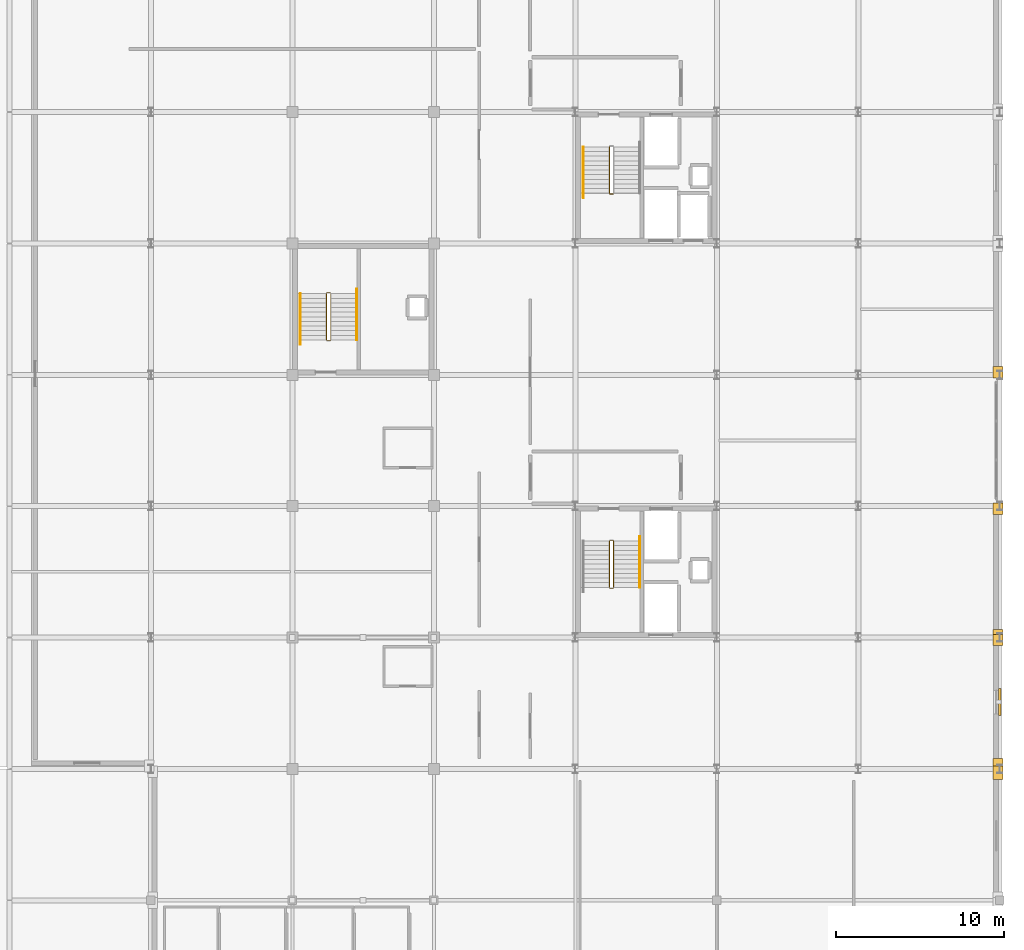
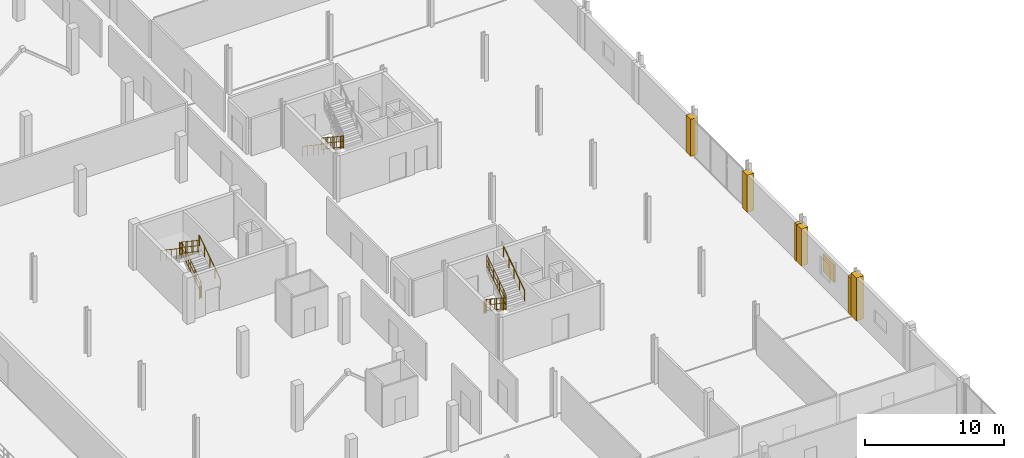
# One storey, part 39 of 41: 14 railings, 6 coverings, 1 shading device.
"""IFC4 building model written with IfcOpenShell, lengths in metres."""

from ifc_helpers import new_model, si_unit, direction, frame, origin, origin_2d, place, context, subcontext, project, spatial, polyline, rectangle, circle, outline, extrude, material, layer, layer_set, type_object, element, save


model = new_model("IFC4")

# Units and contexts
model_context = context("Model", 3, precision=1e-05, world=origin(), true_north=direction((0.0, 1.0)))
body_context = subcontext(model_context, "Body", "Model", "MODEL_VIEW")
ifc_project = project(units=[si_unit("LENGTHUNIT", "METRE"), si_unit("AREAUNIT", "SQUARE_METRE"), si_unit("VOLUMEUNIT", "CUBIC_METRE"), si_unit("PLANEANGLEUNIT", "RADIAN"), si_unit("MASSUNIT", "GRAM", prefix="KILO")], contexts=[model_context])

# Site, building, storey
site_placement = place(None, origin())
site = spatial("IfcSite", under=ifc_project, at=site_placement, CompositionType="ELEMENT")
building_placement = place(site_placement, origin())
building = spatial("IfcBuilding", under=site, at=building_placement, Name="Nabrawat Pavilion Hospital", CompositionType="ELEMENT")
storey_placement = place(building_placement, frame((0.0, 0.0, 18.89990234375)))
storey = spatial("IfcBuildingStorey", under=building, at=storey_placement, Name="L04", CompositionType="ELEMENT", Elevation=18.89990234375)

# Coverings
ifc_material_1 = material(Name="Precast concrete C40/50", Category="concrete")
ifc_layer_1 = layer(ifc_material_1, 0.360107421875, Name="Precast concrete C40/50")
ifc_layer_set_1 = layer_set([ifc_layer_1], Name="Precast concrete C40/50")
covering_type = type_object("IfcCoveringType", Name="Architectural Precast Column-Jamb Closure Reveal", PredefinedType="CLADDING", material=ifc_layer_set_1)
covering_1_placement = place(storey_placement, origin())
element("IfcCovering", 1, at=covering_1_placement, inside=storey, type_object=covering_type, Name="L04 Precast Facade Column-Jamb Weatherseal Closure 0562", PredefinedType="CLADDING", context=body_context, shape_type="SweptSolid", body=[
    extrude(outline(polyline([(193.3798828125, 38.3798828125), (193.3798828125, 39.179931640625), (192.800048828125, 39.179931640625), (192.800048828125, 38.3798828125), (193.3798828125, 38.3798828125)])), origin(), (0.0, 0.0, 1.0), 3.77001953125),
])
covering_2_placement = place(storey_placement, origin())
element("IfcCovering", 2, at=covering_2_placement, inside=storey, type_object=covering_type, Name="L04 Precast Facade Column-Jamb Weatherseal Closure 0563", PredefinedType="CLADDING", context=body_context, shape_type="SweptSolid", body=[
    extrude(outline(polyline([(193.3798828125, 38.820068359375), (193.3798828125, 39.6201171875), (192.800048828125, 39.6201171875), (192.800048828125, 38.820068359375), (193.3798828125, 38.820068359375)])), origin(), (0.0, 0.0, 1.0), 3.25),
])
covering_3_placement = place(storey_placement, origin())
element("IfcCovering", 3, at=covering_3_placement, inside=storey, type_object=covering_type, Name="L04 Precast Facade Column-Jamb Weatherseal Closure 0564", PredefinedType="CLADDING", context=body_context, shape_type="SweptSolid", body=[
    extrude(outline(polyline([(193.3798828125, 46.320068359375), (193.3798828125, 46.97998046875), (192.800048828125, 46.97998046875), (192.800048828125, 46.320068359375), (193.3798828125, 46.320068359375)])), origin(), (0.0, 0.0, 1.0), 3.25),
])
covering_4_placement = place(storey_placement, origin())
element("IfcCovering", 4, at=covering_4_placement, inside=storey, type_object=covering_type, Name="L04 Precast Facade Column-Jamb Weatherseal Closure 0565", PredefinedType="CLADDING", context=body_context, shape_type="SweptSolid", body=[
    extrude(outline(polyline([(193.3798828125, 46.6201171875), (193.3798828125, 47.280029296875), (192.800048828125, 47.280029296875), (192.800048828125, 46.6201171875), (193.3798828125, 46.6201171875)])), origin(), (0.0, 0.0, 1.0), 3.25),
])
covering_5_placement = place(storey_placement, origin())
element("IfcCovering", 5, at=covering_5_placement, inside=storey, type_object=covering_type, Name="L04 Precast Facade Column-Jamb Weatherseal Closure 0566", PredefinedType="CLADDING", context=body_context, shape_type="SweptSolid", body=[
    extrude(outline(polyline([(193.3798828125, 54.1201171875), (193.3798828125, 54.780029296875), (192.800048828125, 54.780029296875), (192.800048828125, 54.1201171875), (193.3798828125, 54.1201171875)])), origin(), (0.0, 0.0, 1.0), 3.25),
])
covering_6_placement = place(storey_placement, origin())
element("IfcCovering", 6, at=covering_6_placement, inside=storey, type_object=covering_type, Name="L04 Precast Facade Column-Jamb Weatherseal Closure 0567", PredefinedType="CLADDING", context=body_context, shape_type="SweptSolid", body=[
    extrude(outline(polyline([(193.3798828125, 62.219970703125), (193.3798828125, 62.8798828125), (192.800048828125, 62.8798828125), (192.800048828125, 62.219970703125), (193.3798828125, 62.219970703125)])), origin(), (0.0, 0.0, 1.0), 3.25),
])

# Shading device
ifc_layer_2 = layer(ifc_material_1, 2.39990234375, Name="Precast concrete C40/50")
ifc_layer_set_2 = layer_set([ifc_layer_2], Name="Precast concrete C40/50")
shading_device_type = type_object("IfcShadingDeviceType", Name="Perforated GFRC Mashrabiya Solar Fin", PredefinedType="JALOUSIE", material=ifc_layer_set_2)
shading_device_placement = place(storey_placement, frame((193.18994140625, 42.969970703125, 0.9501953125), z_axis=(0.0, 0.0, 1.0), x_axis=(0.0, 1.0, 0.0)))
element("IfcShadingDevice", 7, at=shading_device_placement, inside=storey, type_object=shading_device_type, Name="L04 Perforated GFRC Mashrabiya Screen 018", PredefinedType="JALOUSIE", context=body_context, shape_type="SweptSolid", body=[
    extrude(rectangle(XDim=1.60009765625, YDim=0.139892578125, at=origin_2d()), origin(), (0.0, 0.0, 1.0), 1.550048828125),
])

# Railings
ifc_material_2 = material(Name="Stainless Steel 316", Category="steel")
ifc_layer_3 = layer(ifc_material_2, 0.050048828125, Name="Stainless Steel 316")
ifc_layer_set_3 = layer_set([ifc_layer_3], Name="Stainless Steel 316")
railing_type_1 = type_object("IfcRailingType", Name="Stair Open-Well Safety Guardrail 1100", PredefinedType="GUARDRAIL", material=ifc_layer_set_3)
railing_1_placement = place(storey_placement, frame((170.02490234375, 52.530029296875, 0.18408203125)))
element("IfcRailing", 8, at=railing_1_placement, inside=storey, type_object=railing_type_1, Name="L04 ST-05 stair guard 1", PredefinedType="GUARDRAIL", context=body_context, shape_type="SweptSolid", body=[
    extrude(circle(Radius=0.02392578125, at=origin_2d()), frame((0.0, 0.0, 1.076171875), z_axis=(0.0, -0.830970512829, 0.556316462824), x_axis=(1.0, 0.0, 0.0)), (0.0, 0.0, 1.0), 3.309326171875),
    extrude(circle(Radius=0.02392578125, at=origin_2d()), frame((0.0, 0.0, 0.10009765625), z_axis=(0.0, -0.830970512829, 0.556316462824), x_axis=(1.0, 0.0, 0.0)), (0.0, 0.0, 1.0), 3.309326171875),
    extrude(circle(Radius=0.02392578125, at=origin_2d()), frame((0.0, 0.0, 0.60498046875), z_axis=(0.0, -0.830970512829, 0.556316462824), x_axis=(1.0, 0.0, 0.0)), (0.0, 0.0, 1.0), 3.309326171875),
    extrude(circle(Radius=0.008056640625, at=origin_2d()), frame((0.0, -0.196533203125, 0.2314453125)), (0.0, 0.0, 1.0), 0.951904296875),
    extrude(circle(Radius=0.008056640625, at=origin_2d()), frame((0.0, -0.392822265625, 0.363037109375)), (0.0, 0.0, 1.0), 0.951904296875),
    extrude(circle(Radius=0.008056640625, at=origin_2d()), frame((0.0, -0.58935546875, 0.49462890625)), (0.0, 0.0, 1.0), 0.951904296875),
    extrude(circle(Radius=0.008056640625, at=origin_2d()), frame((0.0, -0.78564453125, 0.6259765625)), (0.0, 0.0, 1.0), 0.951904296875),
    extrude(circle(Radius=0.008056640625, at=origin_2d()), frame((0.0, -0.982177734375, 0.757568359375)), (0.0, 0.0, 1.0), 0.951904296875),
    extrude(circle(Radius=0.008056640625, at=origin_2d()), frame((0.0, -1.178466796875, 0.888916015625)), (0.0, 0.0, 1.0), 0.951904296875),
    extrude(circle(Radius=0.008056640625, at=origin_2d()), frame((0.0, -1.375, 1.0205078125)), (0.0, 0.0, 1.0), 0.951904296875),
    extrude(circle(Radius=0.008056640625, at=origin_2d()), frame((0.0, -1.571533203125, 1.152099609375)), (0.0, 0.0, 1.0), 0.951904296875),
    extrude(circle(Radius=0.008056640625, at=origin_2d()), frame((0.0, -1.767822265625, 1.283447265625)), (0.0, 0.0, 1.0), 0.951904296875),
    extrude(circle(Radius=0.008056640625, at=origin_2d()), frame((0.0, -1.96435546875, 1.4150390625)), (0.0, 0.0, 1.0), 0.951904296875),
    extrude(circle(Radius=0.008056640625, at=origin_2d()), frame((0.0, -2.16064453125, 1.546630859375)), (0.0, 0.0, 1.0), 0.951904296875),
    extrude(circle(Radius=0.008056640625, at=origin_2d()), frame((0.0, -2.357177734375, 1.677978515625)), (0.0, 0.0, 1.0), 0.951904296875),
    extrude(circle(Radius=0.008056640625, at=origin_2d()), frame((0.0, -2.553466796875, 1.8095703125)), (0.0, 0.0, 1.0), 0.951904296875),
    extrude(circle(Radius=0.02099609375, at=origin_2d()), origin(), (0.0, 0.0, 1.0), 1.052001953125),
    extrude(circle(Radius=0.02099609375, at=origin_2d()), frame((0.0, -0.916748046875, 0.61376953125)), (0.0, 0.0, 1.0), 1.052001953125),
    extrude(circle(Radius=0.02099609375, at=origin_2d()), frame((0.0, -1.833251953125, 1.227294921875)), (0.0, 0.0, 1.0), 1.052001953125),
    extrude(circle(Radius=0.02099609375, at=origin_2d()), frame((0.0, -2.75, 1.841064453125)), (0.0, 0.0, 1.0), 1.052001953125),
])
railing_2_placement = place(storey_placement, frame((170.050048828125, 49.72998046875, 2.025146484375)))
element("IfcRailing", 9, at=railing_2_placement, inside=storey, type_object=railing_type_1, Name="L04 ST-05 stair guard 2", PredefinedType="GUARDRAIL", context=body_context, shape_type="SweptSolid", body=[
    extrude(circle(Radius=0.02392578125, at=origin_2d()), frame((0.0, 0.0, 1.076171875), z_axis=(1.0, 0.0, 0.0), x_axis=(0.0, 1.0, 0.0)), (0.0, 0.0, 1.0), 0.199951171875),
    extrude(circle(Radius=0.02392578125, at=origin_2d()), frame((0.0, 0.0, 0.10009765625), z_axis=(1.0, 0.0, 0.0), x_axis=(0.0, 1.0, 0.0)), (0.0, 0.0, 1.0), 0.199951171875),
    extrude(circle(Radius=0.02392578125, at=origin_2d()), frame((0.0, 0.0, 0.60498046875), z_axis=(1.0, 0.0, 0.0), x_axis=(0.0, 1.0, 0.0)), (0.0, 0.0, 1.0), 0.199951171875),
    extrude(circle(Radius=0.008056640625, at=origin_2d()), frame((0.10009765625, 0.0, 0.10009765625)), (0.0, 0.0, 1.0), 0.951904296875),
    extrude(circle(Radius=0.02099609375, at=origin_2d()), origin(), (0.0, 0.0, 1.0), 1.052001953125),
    extrude(circle(Radius=0.02099609375, at=origin_2d()), frame((0.199951171875, 0.0, 0.0)), (0.0, 0.0, 1.0), 1.052001953125),
])
railing_3_placement = place(storey_placement, frame((170.27490234375, 49.780029296875, 2.209228515625)))
element("IfcRailing", 10, at=railing_3_placement, inside=storey, type_object=railing_type_1, Name="L04 ST-05 stair guard 3", PredefinedType="GUARDRAIL", context=body_context, shape_type="SweptSolid", body=[
    extrude(circle(Radius=0.02392578125, at=origin_2d()), frame((0.0, 0.0, 1.076171875), z_axis=(0.0, 0.831004616288, 0.556265519071), x_axis=(-1.0, 0.0, 0.0)), (0.0, 0.0, 1.0), 3.309326171875),
    extrude(circle(Radius=0.02392578125, at=origin_2d()), frame((0.0, 0.0, 0.10009765625), z_axis=(0.0, 0.831004616288, 0.556265519071), x_axis=(-1.0, 0.0, 0.0)), (0.0, 0.0, 1.0), 3.309326171875),
    extrude(circle(Radius=0.02392578125, at=origin_2d()), frame((0.0, 0.0, 0.60498046875), z_axis=(0.0, 0.831004616288, 0.556265519071), x_axis=(-1.0, 0.0, 0.0)), (0.0, 0.0, 1.0), 3.309326171875),
    extrude(circle(Radius=0.008056640625, at=origin_2d()), frame((0.0, 0.196533203125, 0.2314453125)), (0.0, 0.0, 1.0), 0.951904296875),
    extrude(circle(Radius=0.008056640625, at=origin_2d()), frame((0.0, 0.392822265625, 0.363037109375)), (0.0, 0.0, 1.0), 0.951904296875),
    extrude(circle(Radius=0.008056640625, at=origin_2d()), frame((0.0, 0.58935546875, 0.494384765625)), (0.0, 0.0, 1.0), 0.951904296875),
    extrude(circle(Radius=0.008056640625, at=origin_2d()), frame((0.0, 0.78564453125, 0.6259765625)), (0.0, 0.0, 1.0), 0.951904296875),
    extrude(circle(Radius=0.008056640625, at=origin_2d()), frame((0.0, 0.982177734375, 0.75732421875)), (0.0, 0.0, 1.0), 0.951904296875),
    extrude(circle(Radius=0.008056640625, at=origin_2d()), frame((0.0, 1.178466796875, 0.888916015625)), (0.0, 0.0, 1.0), 0.951904296875),
    extrude(circle(Radius=0.008056640625, at=origin_2d()), frame((0.0, 1.375, 1.0205078125)), (0.0, 0.0, 1.0), 0.951904296875),
    extrude(circle(Radius=0.008056640625, at=origin_2d()), frame((0.0, 1.571533203125, 1.15185546875)), (0.0, 0.0, 1.0), 0.951904296875),
    extrude(circle(Radius=0.008056640625, at=origin_2d()), frame((0.0, 1.767822265625, 1.283447265625)), (0.0, 0.0, 1.0), 0.951904296875),
    extrude(circle(Radius=0.008056640625, at=origin_2d()), frame((0.0, 1.96435546875, 1.414794921875)), (0.0, 0.0, 1.0), 0.951904296875),
    extrude(circle(Radius=0.008056640625, at=origin_2d()), frame((0.0, 2.16064453125, 1.54638671875)), (0.0, 0.0, 1.0), 0.951904296875),
    extrude(circle(Radius=0.008056640625, at=origin_2d()), frame((0.0, 2.357177734375, 1.677734375)), (0.0, 0.0, 1.0), 0.951904296875),
    extrude(circle(Radius=0.008056640625, at=origin_2d()), frame((0.0, 2.553466796875, 1.809326171875)), (0.0, 0.0, 1.0), 0.951904296875),
    extrude(circle(Radius=0.02099609375, at=origin_2d()), origin(), (0.0, 0.0, 1.0), 1.052001953125),
    extrude(circle(Radius=0.02099609375, at=origin_2d()), frame((0.0, 0.916748046875, 0.613525390625)), (0.0, 0.0, 1.0), 1.052001953125),
    extrude(circle(Radius=0.02099609375, at=origin_2d()), frame((0.0, 1.833251953125, 1.227294921875)), (0.0, 0.0, 1.0), 1.052001953125),
    extrude(circle(Radius=0.02099609375, at=origin_2d()), frame((0.0, 2.75, 1.8408203125)), (0.0, 0.0, 1.0), 1.052001953125),
])
railing_4_placement = place(storey_placement, frame((170.050048828125, 52.580078125, 0.0)))
element("IfcRailing", 11, at=railing_4_placement, inside=storey, type_object=railing_type_1, Name="L04 ST-05 stair guard 4", PredefinedType="GUARDRAIL", context=body_context, shape_type="SweptSolid", body=[
    extrude(circle(Radius=0.02392578125, at=origin_2d()), frame((0.0, 0.0, 1.076171875), z_axis=(1.0, 0.0, 0.0), x_axis=(0.0, 1.0, 0.0)), (0.0, 0.0, 1.0), 0.199951171875),
    extrude(circle(Radius=0.02392578125, at=origin_2d()), frame((0.0, 0.0, 0.10009765625), z_axis=(1.0, 0.0, 0.0), x_axis=(0.0, 1.0, 0.0)), (0.0, 0.0, 1.0), 0.199951171875),
    extrude(circle(Radius=0.02392578125, at=origin_2d()), frame((0.0, 0.0, 0.60498046875), z_axis=(1.0, 0.0, 0.0), x_axis=(0.0, 1.0, 0.0)), (0.0, 0.0, 1.0), 0.199951171875),
    extrude(circle(Radius=0.008056640625, at=origin_2d()), frame((0.10009765625, 0.0, 0.10009765625)), (0.0, 0.0, 1.0), 0.951904296875),
    extrude(circle(Radius=0.02099609375, at=origin_2d()), origin(), (0.0, 0.0, 1.0), 1.052001953125),
    extrude(circle(Radius=0.02099609375, at=origin_2d()), frame((0.199951171875, 0.0, 0.0)), (0.0, 0.0, 1.0), 1.052001953125),
])
railing_5_placement = place(storey_placement, frame((170.02490234375, 75.929931640625, 0.18408203125)))
element("IfcRailing", 12, at=railing_5_placement, inside=storey, type_object=railing_type_1, Name="L04 ST-06 stair guard 1", PredefinedType="GUARDRAIL", context=body_context, shape_type="SweptSolid", body=[
    extrude(circle(Radius=0.02392578125, at=origin_2d()), frame((0.0, 0.0, 1.076171875), z_axis=(0.0, -0.830970512829, 0.556316462824), x_axis=(1.0, 0.0, 0.0)), (0.0, 0.0, 1.0), 3.309326171875),
    extrude(circle(Radius=0.02392578125, at=origin_2d()), frame((0.0, 0.0, 0.10009765625), z_axis=(0.0, -0.830970512829, 0.556316462824), x_axis=(1.0, 0.0, 0.0)), (0.0, 0.0, 1.0), 3.309326171875),
    extrude(circle(Radius=0.02392578125, at=origin_2d()), frame((0.0, 0.0, 0.60498046875), z_axis=(0.0, -0.830970512829, 0.556316462824), x_axis=(1.0, 0.0, 0.0)), (0.0, 0.0, 1.0), 3.309326171875),
    extrude(circle(Radius=0.008056640625, at=origin_2d()), frame((0.0, -0.196533203125, 0.2314453125)), (0.0, 0.0, 1.0), 0.951904296875),
    extrude(circle(Radius=0.008056640625, at=origin_2d()), frame((0.0, -0.392822265625, 0.363037109375)), (0.0, 0.0, 1.0), 0.951904296875),
    extrude(circle(Radius=0.008056640625, at=origin_2d()), frame((0.0, -0.58935546875, 0.49462890625)), (0.0, 0.0, 1.0), 0.951904296875),
    extrude(circle(Radius=0.008056640625, at=origin_2d()), frame((0.0, -0.78564453125, 0.6259765625)), (0.0, 0.0, 1.0), 0.951904296875),
    extrude(circle(Radius=0.008056640625, at=origin_2d()), frame((0.0, -0.982177734375, 0.757568359375)), (0.0, 0.0, 1.0), 0.951904296875),
    extrude(circle(Radius=0.008056640625, at=origin_2d()), frame((0.0, -1.178466796875, 0.888916015625)), (0.0, 0.0, 1.0), 0.951904296875),
    extrude(circle(Radius=0.008056640625, at=origin_2d()), frame((0.0, -1.375, 1.0205078125)), (0.0, 0.0, 1.0), 0.951904296875),
    extrude(circle(Radius=0.008056640625, at=origin_2d()), frame((0.0, -1.571533203125, 1.152099609375)), (0.0, 0.0, 1.0), 0.951904296875),
    extrude(circle(Radius=0.008056640625, at=origin_2d()), frame((0.0, -1.767822265625, 1.283447265625)), (0.0, 0.0, 1.0), 0.951904296875),
    extrude(circle(Radius=0.008056640625, at=origin_2d()), frame((0.0, -1.96435546875, 1.4150390625)), (0.0, 0.0, 1.0), 0.951904296875),
    extrude(circle(Radius=0.008056640625, at=origin_2d()), frame((0.0, -2.16064453125, 1.546630859375)), (0.0, 0.0, 1.0), 0.951904296875),
    extrude(circle(Radius=0.008056640625, at=origin_2d()), frame((0.0, -2.357177734375, 1.677978515625)), (0.0, 0.0, 1.0), 0.951904296875),
    extrude(circle(Radius=0.008056640625, at=origin_2d()), frame((0.0, -2.553466796875, 1.8095703125)), (0.0, 0.0, 1.0), 0.951904296875),
    extrude(circle(Radius=0.02099609375, at=origin_2d()), origin(), (0.0, 0.0, 1.0), 1.052001953125),
    extrude(circle(Radius=0.02099609375, at=origin_2d()), frame((0.0, -0.916748046875, 0.61376953125)), (0.0, 0.0, 1.0), 1.052001953125),
    extrude(circle(Radius=0.02099609375, at=origin_2d()), frame((0.0, -1.833251953125, 1.227294921875)), (0.0, 0.0, 1.0), 1.052001953125),
    extrude(circle(Radius=0.02099609375, at=origin_2d()), frame((0.0, -2.75, 1.841064453125)), (0.0, 0.0, 1.0), 1.052001953125),
])
railing_6_placement = place(storey_placement, frame((170.050048828125, 73.1298828125, 2.025146484375)))
element("IfcRailing", 13, at=railing_6_placement, inside=storey, type_object=railing_type_1, Name="L04 ST-06 stair guard 2", PredefinedType="GUARDRAIL", context=body_context, shape_type="SweptSolid", body=[
    extrude(circle(Radius=0.02392578125, at=origin_2d()), frame((0.0, 0.0, 1.076171875), z_axis=(1.0, 0.0, 0.0), x_axis=(0.0, 1.0, 0.0)), (0.0, 0.0, 1.0), 0.199951171875),
    extrude(circle(Radius=0.02392578125, at=origin_2d()), frame((0.0, 0.0, 0.10009765625), z_axis=(1.0, 0.0, 0.0), x_axis=(0.0, 1.0, 0.0)), (0.0, 0.0, 1.0), 0.199951171875),
    extrude(circle(Radius=0.02392578125, at=origin_2d()), frame((0.0, 0.0, 0.60498046875), z_axis=(1.0, 0.0, 0.0), x_axis=(0.0, 1.0, 0.0)), (0.0, 0.0, 1.0), 0.199951171875),
    extrude(circle(Radius=0.008056640625, at=origin_2d()), frame((0.10009765625, 0.0, 0.10009765625)), (0.0, 0.0, 1.0), 0.951904296875),
    extrude(circle(Radius=0.02099609375, at=origin_2d()), origin(), (0.0, 0.0, 1.0), 1.052001953125),
    extrude(circle(Radius=0.02099609375, at=origin_2d()), frame((0.199951171875, 0.0, 0.0)), (0.0, 0.0, 1.0), 1.052001953125),
])
railing_7_placement = place(storey_placement, frame((153.47509765625, 64.469970703125, 0.18408203125)))
element("IfcRailing", 14, at=railing_7_placement, inside=storey, type_object=railing_type_1, Name="L04 ST-09 stair guard 1", PredefinedType="GUARDRAIL", context=body_context, shape_type="SweptSolid", body=[
    extrude(circle(Radius=0.02392578125, at=origin_2d()), frame((0.0, 0.0, 1.076171875), z_axis=(0.0, 0.830970512829, 0.556316462824), x_axis=(-1.0, 0.0, 0.0)), (0.0, 0.0, 1.0), 3.309326171875),
    extrude(circle(Radius=0.02392578125, at=origin_2d()), frame((0.0, 0.0, 0.10009765625), z_axis=(0.0, 0.830970512829, 0.556316462824), x_axis=(-1.0, 0.0, 0.0)), (0.0, 0.0, 1.0), 3.309326171875),
    extrude(circle(Radius=0.02392578125, at=origin_2d()), frame((0.0, 0.0, 0.60498046875), z_axis=(0.0, 0.830970512829, 0.556316462824), x_axis=(-1.0, 0.0, 0.0)), (0.0, 0.0, 1.0), 3.309326171875),
    extrude(circle(Radius=0.008056640625, at=origin_2d()), frame((0.0, 0.196533203125, 0.2314453125)), (0.0, 0.0, 1.0), 0.951904296875),
    extrude(circle(Radius=0.008056640625, at=origin_2d()), frame((0.0, 0.392822265625, 0.363037109375)), (0.0, 0.0, 1.0), 0.951904296875),
    extrude(circle(Radius=0.008056640625, at=origin_2d()), frame((0.0, 0.58935546875, 0.49462890625)), (0.0, 0.0, 1.0), 0.951904296875),
    extrude(circle(Radius=0.008056640625, at=origin_2d()), frame((0.0, 0.78564453125, 0.6259765625)), (0.0, 0.0, 1.0), 0.951904296875),
    extrude(circle(Radius=0.008056640625, at=origin_2d()), frame((0.0, 0.982177734375, 0.757568359375)), (0.0, 0.0, 1.0), 0.951904296875),
    extrude(circle(Radius=0.008056640625, at=origin_2d()), frame((0.0, 1.178466796875, 0.888916015625)), (0.0, 0.0, 1.0), 0.951904296875),
    extrude(circle(Radius=0.008056640625, at=origin_2d()), frame((0.0, 1.375, 1.0205078125)), (0.0, 0.0, 1.0), 0.951904296875),
    extrude(circle(Radius=0.008056640625, at=origin_2d()), frame((0.0, 1.571533203125, 1.152099609375)), (0.0, 0.0, 1.0), 0.951904296875),
    extrude(circle(Radius=0.008056640625, at=origin_2d()), frame((0.0, 1.767822265625, 1.283447265625)), (0.0, 0.0, 1.0), 0.951904296875),
    extrude(circle(Radius=0.008056640625, at=origin_2d()), frame((0.0, 1.96435546875, 1.4150390625)), (0.0, 0.0, 1.0), 0.951904296875),
    extrude(circle(Radius=0.008056640625, at=origin_2d()), frame((0.0, 2.16064453125, 1.546630859375)), (0.0, 0.0, 1.0), 0.951904296875),
    extrude(circle(Radius=0.008056640625, at=origin_2d()), frame((0.0, 2.357177734375, 1.677978515625)), (0.0, 0.0, 1.0), 0.951904296875),
    extrude(circle(Radius=0.008056640625, at=origin_2d()), frame((0.0, 2.553466796875, 1.8095703125)), (0.0, 0.0, 1.0), 0.951904296875),
    extrude(circle(Radius=0.02099609375, at=origin_2d()), origin(), (0.0, 0.0, 1.0), 1.052001953125),
    extrude(circle(Radius=0.02099609375, at=origin_2d()), frame((0.0, 0.916748046875, 0.61376953125)), (0.0, 0.0, 1.0), 1.052001953125),
    extrude(circle(Radius=0.02099609375, at=origin_2d()), frame((0.0, 1.833251953125, 1.227294921875)), (0.0, 0.0, 1.0), 1.052001953125),
    extrude(circle(Radius=0.02099609375, at=origin_2d()), frame((0.0, 2.75, 1.841064453125)), (0.0, 0.0, 1.0), 1.052001953125),
])
railing_8_placement = place(storey_placement, frame((153.449951171875, 67.27001953125, 2.025146484375)))
element("IfcRailing", 15, at=railing_8_placement, inside=storey, type_object=railing_type_1, Name="L04 ST-09 stair guard 2", PredefinedType="GUARDRAIL", context=body_context, shape_type="SweptSolid", body=[
    extrude(circle(Radius=0.02392578125, at=origin_2d()), frame((0.0, 0.0, 1.076171875), z_axis=(-1.0, 0.0, 0.0), x_axis=(0.0, -1.0, 0.0)), (0.0, 0.0, 1.0), 0.199951171875),
    extrude(circle(Radius=0.02392578125, at=origin_2d()), frame((0.0, 0.0, 0.10009765625), z_axis=(-1.0, 0.0, 0.0), x_axis=(0.0, -1.0, 0.0)), (0.0, 0.0, 1.0), 0.199951171875),
    extrude(circle(Radius=0.02392578125, at=origin_2d()), frame((0.0, 0.0, 0.60498046875), z_axis=(-1.0, 0.0, 0.0), x_axis=(0.0, -1.0, 0.0)), (0.0, 0.0, 1.0), 0.199951171875),
    extrude(circle(Radius=0.008056640625, at=origin_2d()), frame((-0.10009765625, 0.0, 0.10009765625)), (0.0, 0.0, 1.0), 0.951904296875),
    extrude(circle(Radius=0.02099609375, at=origin_2d()), origin(), (0.0, 0.0, 1.0), 1.052001953125),
    extrude(circle(Radius=0.02099609375, at=origin_2d()), frame((-0.199951171875, 0.0, 0.0)), (0.0, 0.0, 1.0), 1.052001953125),
])
railing_9_placement = place(storey_placement, frame((153.22509765625, 67.219970703125, 2.209228515625)))
element("IfcRailing", 16, at=railing_9_placement, inside=storey, type_object=railing_type_1, Name="L04 ST-09 stair guard 3", PredefinedType="GUARDRAIL", context=body_context, shape_type="SweptSolid", body=[
    extrude(circle(Radius=0.02392578125, at=origin_2d()), frame((0.0, 0.0, 1.076171875), z_axis=(0.0, -0.831004616288, 0.556265519071), x_axis=(1.0, 0.0, 0.0)), (0.0, 0.0, 1.0), 3.309326171875),
    extrude(circle(Radius=0.02392578125, at=origin_2d()), frame((0.0, 0.0, 0.10009765625), z_axis=(0.0, -0.831004616288, 0.556265519071), x_axis=(1.0, 0.0, 0.0)), (0.0, 0.0, 1.0), 3.309326171875),
    extrude(circle(Radius=0.02392578125, at=origin_2d()), frame((0.0, 0.0, 0.60498046875), z_axis=(0.0, -0.831004616288, 0.556265519071), x_axis=(1.0, 0.0, 0.0)), (0.0, 0.0, 1.0), 3.309326171875),
    extrude(circle(Radius=0.008056640625, at=origin_2d()), frame((0.0, -0.196533203125, 0.2314453125)), (0.0, 0.0, 1.0), 0.951904296875),
    extrude(circle(Radius=0.008056640625, at=origin_2d()), frame((0.0, -0.392822265625, 0.363037109375)), (0.0, 0.0, 1.0), 0.951904296875),
    extrude(circle(Radius=0.008056640625, at=origin_2d()), frame((0.0, -0.58935546875, 0.494384765625)), (0.0, 0.0, 1.0), 0.951904296875),
    extrude(circle(Radius=0.008056640625, at=origin_2d()), frame((0.0, -0.78564453125, 0.6259765625)), (0.0, 0.0, 1.0), 0.951904296875),
    extrude(circle(Radius=0.008056640625, at=origin_2d()), frame((0.0, -0.982177734375, 0.75732421875)), (0.0, 0.0, 1.0), 0.951904296875),
    extrude(circle(Radius=0.008056640625, at=origin_2d()), frame((0.0, -1.178466796875, 0.888916015625)), (0.0, 0.0, 1.0), 0.951904296875),
    extrude(circle(Radius=0.008056640625, at=origin_2d()), frame((0.0, -1.375, 1.0205078125)), (0.0, 0.0, 1.0), 0.951904296875),
    extrude(circle(Radius=0.008056640625, at=origin_2d()), frame((0.0, -1.571533203125, 1.15185546875)), (0.0, 0.0, 1.0), 0.951904296875),
    extrude(circle(Radius=0.008056640625, at=origin_2d()), frame((0.0, -1.767822265625, 1.283447265625)), (0.0, 0.0, 1.0), 0.951904296875),
    extrude(circle(Radius=0.008056640625, at=origin_2d()), frame((0.0, -1.96435546875, 1.414794921875)), (0.0, 0.0, 1.0), 0.951904296875),
    extrude(circle(Radius=0.008056640625, at=origin_2d()), frame((0.0, -2.16064453125, 1.54638671875)), (0.0, 0.0, 1.0), 0.951904296875),
    extrude(circle(Radius=0.008056640625, at=origin_2d()), frame((0.0, -2.357177734375, 1.677734375)), (0.0, 0.0, 1.0), 0.951904296875),
    extrude(circle(Radius=0.008056640625, at=origin_2d()), frame((0.0, -2.553466796875, 1.809326171875)), (0.0, 0.0, 1.0), 0.951904296875),
    extrude(circle(Radius=0.02099609375, at=origin_2d()), origin(), (0.0, 0.0, 1.0), 1.052001953125),
    extrude(circle(Radius=0.02099609375, at=origin_2d()), frame((0.0, -0.916748046875, 0.613525390625)), (0.0, 0.0, 1.0), 1.052001953125),
    extrude(circle(Radius=0.02099609375, at=origin_2d()), frame((0.0, -1.833251953125, 1.227294921875)), (0.0, 0.0, 1.0), 1.052001953125),
    extrude(circle(Radius=0.02099609375, at=origin_2d()), frame((0.0, -2.75, 1.8408203125)), (0.0, 0.0, 1.0), 1.052001953125),
])
railing_10_placement = place(storey_placement, frame((153.449951171875, 64.419921875, 0.0)))
element("IfcRailing", 17, at=railing_10_placement, inside=storey, type_object=railing_type_1, Name="L04 ST-09 stair guard 4", PredefinedType="GUARDRAIL", context=body_context, shape_type="SweptSolid", body=[
    extrude(circle(Radius=0.02392578125, at=origin_2d()), frame((0.0, 0.0, 1.076171875), z_axis=(-1.0, 0.0, 0.0), x_axis=(0.0, -1.0, 0.0)), (0.0, 0.0, 1.0), 0.199951171875),
    extrude(circle(Radius=0.02392578125, at=origin_2d()), frame((0.0, 0.0, 0.10009765625), z_axis=(-1.0, 0.0, 0.0), x_axis=(0.0, -1.0, 0.0)), (0.0, 0.0, 1.0), 0.199951171875),
    extrude(circle(Radius=0.02392578125, at=origin_2d()), frame((0.0, 0.0, 0.60498046875), z_axis=(-1.0, 0.0, 0.0), x_axis=(0.0, -1.0, 0.0)), (0.0, 0.0, 1.0), 0.199951171875),
    extrude(circle(Radius=0.008056640625, at=origin_2d()), frame((-0.10009765625, 0.0, 0.10009765625)), (0.0, 0.0, 1.0), 0.951904296875),
    extrude(circle(Radius=0.02099609375, at=origin_2d()), origin(), (0.0, 0.0, 1.0), 1.052001953125),
    extrude(circle(Radius=0.02099609375, at=origin_2d()), frame((-0.199951171875, 0.0, 0.0)), (0.0, 0.0, 1.0), 1.052001953125),
])
ifc_layer_4 = layer(ifc_material_2, 0.044921875, Name="Stainless Steel 316")
ifc_layer_set_4 = layer_set([ifc_layer_4], Name="Stainless Steel 316")
railing_type_2 = type_object("IfcRailingType", Name="Stair Pitch Continuous Handrail 920", PredefinedType="HANDRAIL", material=ifc_layer_set_4)
railing_11_placement = place(storey_placement, frame((171.824951171875, 49.780029296875, 2.213134765625)))
element("IfcRailing", 18, at=railing_11_placement, inside=storey, type_object=railing_type_2, Name="L04 ST-05 stair handrail 2", PredefinedType="HANDRAIL", context=body_context, shape_type="SweptSolid", body=[
    extrude(circle(Radius=0.02392578125, at=origin_2d()), frame((0.0, 0.0, 0.89599609375), z_axis=(0.0, 0.830965310578, 0.556324233353), x_axis=(-1.0, 0.0, 0.0)), (0.0, 0.0, 1.0), 3.64013671875),
    extrude(circle(Radius=0.02099609375, at=origin_2d()), origin(), (0.0, 0.0, 1.0), 0.871826171875),
    extrude(circle(Radius=0.02099609375, at=origin_2d()), frame((0.0, 0.75634765625, 0.50634765625)), (0.0, 0.0, 1.0), 0.871826171875),
    extrude(circle(Radius=0.02099609375, at=origin_2d()), frame((0.0, 1.512451171875, 1.0126953125)), (0.0, 0.0, 1.0), 0.871826171875),
    extrude(circle(Radius=0.02099609375, at=origin_2d()), frame((0.0, 2.2685546875, 1.518798828125)), (0.0, 0.0, 1.0), 0.871826171875),
    extrude(circle(Radius=0.02099609375, at=origin_2d()), frame((0.0, 3.02490234375, 2.025146484375)), (0.0, 0.0, 1.0), 0.871826171875),
])
railing_12_placement = place(storey_placement, frame((168.47509765625, 75.929931640625, 0.188232421875)))
element("IfcRailing", 19, at=railing_12_placement, inside=storey, type_object=railing_type_2, Name="L04 ST-06 stair handrail 1", PredefinedType="HANDRAIL", context=body_context, shape_type="SweptSolid", body=[
    extrude(circle(Radius=0.02392578125, at=origin_2d()), frame((0.0, 0.0, 0.89599609375), z_axis=(0.0, -0.830996314782, 0.556277920484), x_axis=(1.0, 0.0, 0.0)), (0.0, 0.0, 1.0), 3.64013671875),
    extrude(circle(Radius=0.02099609375, at=origin_2d()), origin(), (0.0, 0.0, 1.0), 0.871826171875),
    extrude(circle(Radius=0.02099609375, at=origin_2d()), frame((0.0, -0.75634765625, 0.50634765625)), (0.0, 0.0, 1.0), 0.871826171875),
    extrude(circle(Radius=0.02099609375, at=origin_2d()), frame((0.0, -1.512451171875, 1.012451171875)), (0.0, 0.0, 1.0), 0.871826171875),
    extrude(circle(Radius=0.02099609375, at=origin_2d()), frame((0.0, -2.2685546875, 1.5185546875)), (0.0, 0.0, 1.0), 0.871826171875),
    extrude(circle(Radius=0.02099609375, at=origin_2d()), frame((0.0, -3.02490234375, 2.02490234375)), (0.0, 0.0, 1.0), 0.871826171875),
])
railing_13_placement = place(storey_placement, frame((155.02490234375, 64.469970703125, 0.188232421875)))
element("IfcRailing", 20, at=railing_13_placement, inside=storey, type_object=railing_type_2, Name="L04 ST-09 stair handrail 1", PredefinedType="HANDRAIL", context=body_context, shape_type="SweptSolid", body=[
    extrude(circle(Radius=0.02392578125, at=origin_2d()), frame((0.0, 0.0, 0.89599609375), z_axis=(0.0, 0.831017067507, 0.556246917755), x_axis=(-1.0, 0.0, 0.0)), (0.0, 0.0, 1.0), 3.640380859375),
    extrude(circle(Radius=0.02099609375, at=origin_2d()), origin(), (0.0, 0.0, 1.0), 0.871826171875),
    extrude(circle(Radius=0.02099609375, at=origin_2d()), frame((0.0, 0.75634765625, 0.50634765625)), (0.0, 0.0, 1.0), 0.871826171875),
    extrude(circle(Radius=0.02099609375, at=origin_2d()), frame((0.0, 1.5126953125, 1.012451171875)), (0.0, 0.0, 1.0), 0.871826171875),
    extrude(circle(Radius=0.02099609375, at=origin_2d()), frame((0.0, 2.268798828125, 1.5185546875)), (0.0, 0.0, 1.0), 0.871826171875),
    extrude(circle(Radius=0.02099609375, at=origin_2d()), frame((0.0, 3.025146484375, 2.02490234375)), (0.0, 0.0, 1.0), 0.871826171875),
])
railing_14_placement = place(storey_placement, frame((151.675048828125, 67.219970703125, 2.213134765625)))
element("IfcRailing", 21, at=railing_14_placement, inside=storey, type_object=railing_type_2, Name="L04 ST-09 stair handrail 2", PredefinedType="HANDRAIL", context=body_context, shape_type="SweptSolid", body=[
    extrude(circle(Radius=0.02392578125, at=origin_2d()), frame((0.0, 0.0, 0.89599609375), z_axis=(0.0, -0.830965310578, 0.556324233353), x_axis=(1.0, 0.0, 0.0)), (0.0, 0.0, 1.0), 3.64013671875),
    extrude(circle(Radius=0.02099609375, at=origin_2d()), origin(), (0.0, 0.0, 1.0), 0.871826171875),
    extrude(circle(Radius=0.02099609375, at=origin_2d()), frame((0.0, -0.75634765625, 0.50634765625)), (0.0, 0.0, 1.0), 0.871826171875),
    extrude(circle(Radius=0.02099609375, at=origin_2d()), frame((0.0, -1.512451171875, 1.0126953125)), (0.0, 0.0, 1.0), 0.871826171875),
    extrude(circle(Radius=0.02099609375, at=origin_2d()), frame((0.0, -2.2685546875, 1.518798828125)), (0.0, 0.0, 1.0), 0.871826171875),
    extrude(circle(Radius=0.02099609375, at=origin_2d()), frame((0.0, -3.02490234375, 2.025146484375)), (0.0, 0.0, 1.0), 0.871826171875),
])

save(model, "model.ifc")
